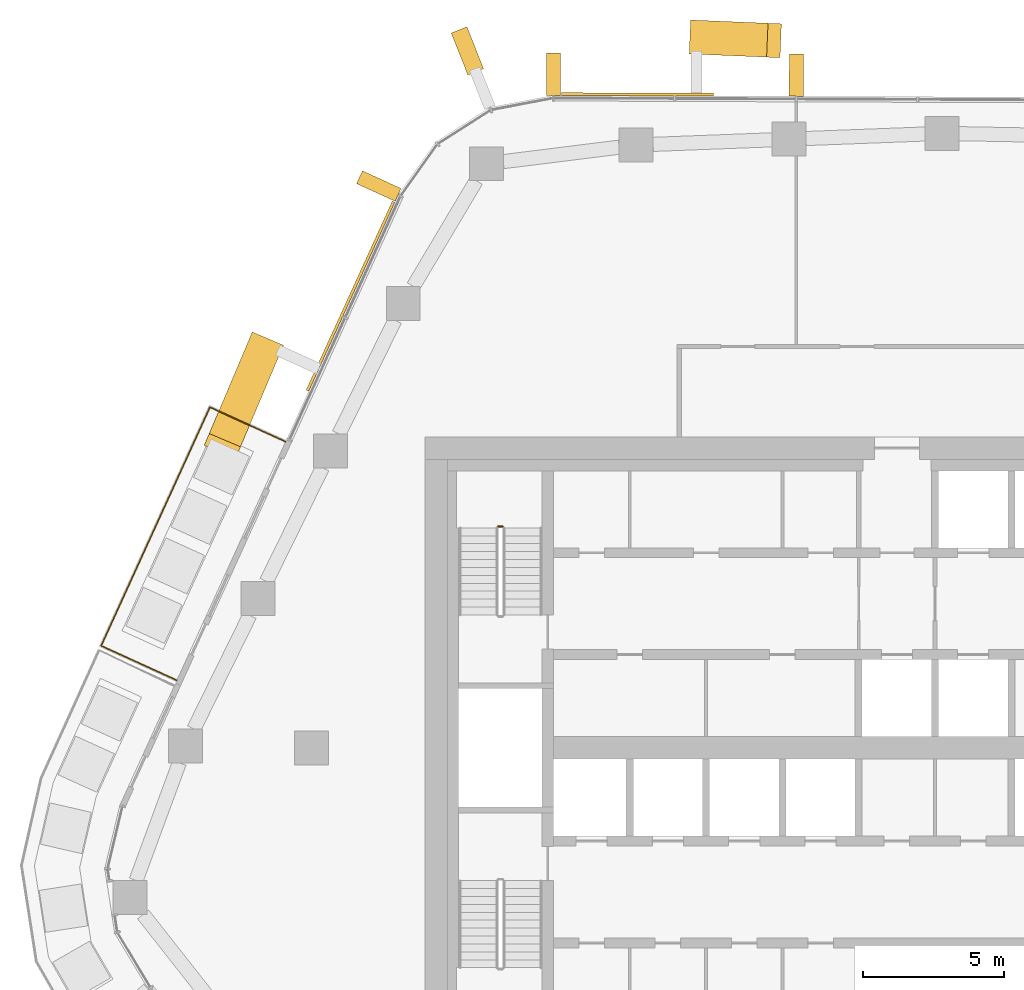
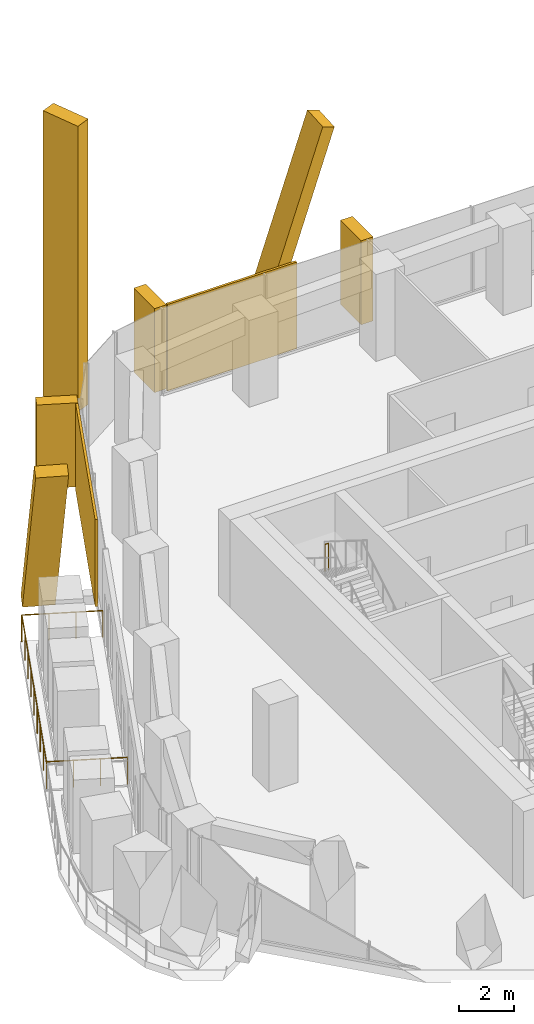
# One storey, part 18 of 19: 8 coverings, 2 railings, 3 elements without a shape of their own.
"""IFC4 building model written with IfcOpenShell, lengths in metres."""

import ifcopenshell
import ifcopenshell.guid

model = None  # the IFC model being written
_history = None  # IfcOwnerHistory: only IFC2X3 demands one
_inside = {}  # id of a spatial element -> (the spatial element, [elements in it])
_under = {}  # id of a project, library or spatial element -> (it, [spatial elements below it])
_declared = {}  # id of a project -> (the project, [libraries it declares])
_typed = {}  # id of a type object -> (the type object, [elements of that type])
_made_of = {}  # id of a material, layer set ... -> (it, [elements and type objects made of it])


def new_model(schema):
    """Start an empty IFC model of exactly this schema.

    Asked for "IFC4X3", IfcOpenShell would pick the latest addendum, in which some entities
    have other attributes; the version numbers below select the first issue.
    IFC2X3 requires an IfcOwnerHistory on every rooted entity: one is made here for all.
    """
    global model, _history
    if schema == "IFC4X3":
        model = ifcopenshell.file(schema_version=(4, 3, 0, 0))
    else:
        model = ifcopenshell.file(schema=schema)
    _inside.clear()
    _under.clear()
    _declared.clear()
    _typed.clear()
    _made_of.clear()
    _history = None
    if model.schema == "IFC2X3":
        org = make("IfcOrganization", Name="unknown")
        user = make(
            "IfcPersonAndOrganization",
            ThePerson=make("IfcPerson", FamilyName="unknown"),
            TheOrganization=org,
        )
        app = make(
            "IfcApplication",
            ApplicationDeveloper=org,
            Version="unknown",
            ApplicationFullName="unknown",
            ApplicationIdentifier="unknown",
        )
        _history = make(
            "IfcOwnerHistory",
            OwningUser=user,
            OwningApplication=app,
            ChangeAction="ADDED",
            CreationDate=0,
        )
    return model


def make(cls, **values):
    """One entity of the class cls with the attributes given. An attribute that is None is left unset."""
    return model.create_entity(
        cls, **{name: value for name, value in values.items() if value is not None}
    )


def rooted(cls, **values):
    """An entity with a GlobalId (a new one), such as an element, a storey or a relation."""
    return make(cls, GlobalId=ifcopenshell.guid.new(), OwnerHistory=_history, **values)


def si_unit(unit_type, name, prefix=None):
    """IfcSIUnit, for example si_unit("LENGTHUNIT", "METRE", prefix="MILLI")."""
    return make("IfcSIUnit", UnitType=unit_type, Prefix=prefix, Name=name)


def assignment(units):
    """IfcUnitAssignment: the units of a project."""
    return None if units is None else make("IfcUnitAssignment", Units=units)


def point(xyz):
    """IfcCartesianPoint."""
    return None if xyz is None else make("IfcCartesianPoint", Coordinates=xyz)


def direction(xyz):
    """IfcDirection."""
    return None if xyz is None else make("IfcDirection", DirectionRatios=xyz)


def frame(location, z_axis=None, x_axis=None):
    """IfcAxis2Placement3D, a coordinate frame: its origin and axes. An axis left out is left unset."""
    return make(
        "IfcAxis2Placement3D",
        Location=point(location),
        Axis=direction(z_axis),
        RefDirection=direction(x_axis),
    )


def frame_2d(location, x_axis=None):
    """IfcAxis2Placement2D, a coordinate frame in the plane: its origin and x axis."""
    return make(
        "IfcAxis2Placement2D", Location=point(location), RefDirection=direction(x_axis)
    )


def origin():
    """The frame at (0, 0, 0) with its axes left unset."""
    return frame((0.0, 0.0, 0.0))


def origin_2d():
    """The frame at (0, 0) in the plane with its x axis left unset."""
    return frame_2d((0.0, 0.0))


def place(relative_to, where):
    """IfcLocalPlacement: puts the frame where relative to a parent placement (None: the world)."""
    return make(
        "IfcLocalPlacement", PlacementRelTo=relative_to, RelativePlacement=where
    )


def context(
    kind, dimensions, precision=None, world=None, true_north=None, identifier=None
):
    """IfcGeometricRepresentationContext, for example the 3D "Model" context."""
    return make(
        "IfcGeometricRepresentationContext",
        ContextIdentifier=identifier,
        ContextType=kind,
        CoordinateSpaceDimension=dimensions,
        Precision=precision,
        WorldCoordinateSystem=world,
        TrueNorth=true_north,
    )


def subcontext(parent, identifier, kind, view, scale=None):
    """IfcGeometricRepresentationSubContext, for example "Body" below "Model"."""
    return make(
        "IfcGeometricRepresentationSubContext",
        ContextIdentifier=identifier,
        ContextType=kind,
        ParentContext=parent,
        TargetScale=scale,
        TargetView=view,
    )


def project(units=None, contexts=None):
    """IfcProject with its units and contexts."""
    return rooted(
        "IfcProject",
        Name="project",
        RepresentationContexts=contexts,
        UnitsInContext=assignment(units),
    )


def spatial(cls, under=None, at=None, **own):
    """A site, building, storey or space (cls), placed at a placement, below another one or the project."""
    s = rooted(cls, ObjectPlacement=at, **own)
    if under is not None:
        _under.setdefault(under.id(), (under, []))[1].append(s)
    return s


def profile(cls, at=None, kind="AREA", **sizes):
    """A parametric profile (cls). Its sizes go by their IFC names, for example OverallWidth=200.0."""
    return make(cls, ProfileType=kind, Position=at, **sizes)


def rectangle(**sizes):
    """IfcRectangleProfileDef."""
    return profile("IfcRectangleProfileDef", **sizes)


def circle(**sizes):
    """IfcCircleProfileDef."""
    return profile("IfcCircleProfileDef", **sizes)


def extrude(swept, where, along, depth):
    """IfcExtrudedAreaSolid: the profile swept, set in the frame where, extruded along a direction by depth."""
    return make(
        "IfcExtrudedAreaSolid",
        SweptArea=swept,
        Position=where,
        ExtrudedDirection=direction(along),
        Depth=depth,
    )


def shape(context_of_items, identifier, shape_type, items):
    """IfcShapeRepresentation: the items that make up one representation, for example the "Body"."""
    return make(
        "IfcShapeRepresentation",
        ContextOfItems=context_of_items,
        RepresentationIdentifier=identifier,
        RepresentationType=shape_type,
        Items=items,
    )


def material(Name=None, Category=None):
    """IfcMaterial."""
    return make("IfcMaterial", Name=Name, Category=Category)


def layer(
    of_material, thickness, ventilated=None, Name=None, Category=None, Priority=None
):
    """IfcMaterialLayer: one layer of a wall or slab, of a material (None: an air gap)."""
    return make(
        "IfcMaterialLayer",
        Material=of_material,
        LayerThickness=thickness,
        IsVentilated=ventilated,
        Name=Name,
        Category=Category,
        Priority=Priority,
    )


def layer_set(layers, Name=None):
    """IfcMaterialLayerSet."""
    return make("IfcMaterialLayerSet", MaterialLayers=layers, LayerSetName=Name)


def material_profile(
    of_material, cross_section, Name=None, Category=None, Priority=None
):
    """IfcMaterialProfile: a cross section and its material."""
    return make(
        "IfcMaterialProfile",
        Name=Name,
        Material=of_material,
        Profile=cross_section,
        Priority=Priority,
        Category=Category,
    )


def profile_set(profiles, Name=None, composite=None):
    """IfcMaterialProfileSet."""
    return make(
        "IfcMaterialProfileSet",
        Name=Name,
        MaterialProfiles=profiles,
        CompositeProfile=composite,
    )


def made_of(thing, what):
    """Note that an element or type object is made of a material, layer set ...; save() writes the relation."""
    if what is not None:
        _made_of.setdefault(what.id(), (what, []))[1].append(thing)
    return thing


def type_object(cls, material=None, **own):
    """A type object (cls), such as IfcWallType, which elements share."""
    return made_of(rooted(cls, **own), material)


def element(
    cls,
    number,
    at=None,
    inside=None,
    cuts=None,
    type_object=None,
    material=None,
    context=None,
    identifier="Body",
    shape_type=None,
    held_by="IfcProductDefinitionShape",
    body=None,
    shapes=None,
    **own,
):
    """One element of the class cls, such as IfcWall. Its Tag is "e" and its number.

    at: its placement. inside: the storey or other place that contains it. cuts: it is an
    opening in that element (IfcRelVoidsElement). A single representation is given by context,
    identifier, shape_type and body (its items); several are given by shapes. held_by: the class
    of the entity that holds the representations. save() writes the other relations.
    """
    e = rooted(cls, Tag="e%d" % number, ObjectPlacement=at, **own)
    if body is not None:
        shapes = [shape(context, identifier, shape_type, body)]
    if shapes is not None:
        e.Representation = make(held_by, Representations=shapes)
    if inside is not None:
        _inside.setdefault(inside.id(), (inside, []))[1].append(e)
    if cuts is not None:
        rooted(
            "IfcRelVoidsElement", RelatingBuildingElement=cuts, RelatedOpeningElement=e
        )
    if type_object is not None:
        _typed.setdefault(type_object.id(), (type_object, []))[1].append(e)
    return made_of(e, material)


def aggregate(whole, parts):
    """IfcRelAggregates: a whole, such as a stair, and the parts it consists of."""
    return rooted("IfcRelAggregates", RelatingObject=whole, RelatedObjects=parts)


def save(model, path):
    """Write the relations noted so far, then the file.

    IfcRelAggregates (storeys below a building ...), IfcRelContainedInSpatialStructure (elements
    in a storey), IfcRelDefinesByType, IfcRelAssociatesMaterial and IfcRelDeclares: one each for
    every whole, place, type object, material and project.
    """
    for whole, parts in _under.values():
        aggregate(whole, parts)
    for where, things in _inside.values():
        rooted(
            "IfcRelContainedInSpatialStructure",
            RelatedElements=things,
            RelatingStructure=where,
        )
    for kind, things in _typed.values():
        rooted("IfcRelDefinesByType", RelatedObjects=things, RelatingType=kind)
    for what, things in _made_of.values():
        rooted("IfcRelAssociatesMaterial", RelatedObjects=things, RelatingMaterial=what)
    for by, libraries in _declared.values():
        rooted("IfcRelDeclares", RelatingContext=by, RelatedDefinitions=libraries)
    model.write(path)


model = new_model("IFC4")

# Units and contexts
model_context = context("Model", 3, precision=1e-05, world=origin(), true_north=direction((0.0, 1.0)))
body_context = subcontext(model_context, "Body", "Model", "MODEL_VIEW")
ifc_project = project(units=[si_unit("LENGTHUNIT", "METRE"), si_unit("AREAUNIT", "SQUARE_METRE"), si_unit("VOLUMEUNIT", "CUBIC_METRE"), si_unit("PLANEANGLEUNIT", "RADIAN"), si_unit("MASSUNIT", "GRAM", prefix="KILO")], contexts=[model_context])

# Site, building, storey
site_placement = place(None, origin())
site = spatial("IfcSite", under=ifc_project, at=site_placement, CompositionType="ELEMENT")
building_placement = place(site_placement, origin())
building = spatial("IfcBuilding", under=site, at=building_placement, Name="Dongbaek Canopy Tower", CompositionType="ELEMENT")
storey_placement = place(building_placement, frame((0.0, 0.0, 198.800048828125)))
storey = spatial("IfcBuildingStorey", under=building, at=storey_placement, Name="L41", CompositionType="ELEMENT", Elevation=198.800048828125)

# Railing
ifc_material_1 = material(Name="Stainless steel", Category="steel")
railing_type_1 = type_object("IfcRailingType", Name="Balcony balustrade 1200", PredefinedType="BALUSTRADE", material=ifc_material_1)
railing_1_placement = place(storey_placement, frame((-18.92431640625, 10.82861328125, 0.0)))
element("IfcRailing", 1, at=railing_1_placement, inside=storey, type_object=railing_type_1, Name="Balcony guard L41 1", PredefinedType="BALUSTRADE", context=body_context, shape_type="SweptSolid", body=[
    extrude(circle(Radius=0.02392578125, at=origin_2d()), frame((0.0, 0.0, 1.17578125), z_axis=(-0.909910892542, 0.414803770033, 0.0), x_axis=(-0.414803770033, -0.909910892542, 0.0)), (0.0, 0.0, 1.0), 2.93994140625),
    extrude(circle(Radius=0.02392578125, at=origin_2d()), frame((-2.675048828125, 1.219482421875, 1.17578125), z_axis=(-0.414758607999, -0.909931479338, 0.0), x_axis=(0.909931479338, -0.414758607999, 0.0)), (0.0, 0.0, 1.0), 9.275146484375),
    extrude(circle(Radius=0.02392578125, at=origin_2d()), frame((-6.52197265625, -7.22021484375, 1.17578125), z_axis=(0.909910892542, -0.414803770033, 0.0), x_axis=(0.414803770033, 0.909910892542, 0.0)), (0.0, 0.0, 1.0), 2.93994140625),
    extrude(circle(Radius=0.02099609375, at=origin_2d()), origin(), (0.0, 0.0, 1.0), 1.15185546875),
    extrude(circle(Radius=0.02099609375, at=origin_2d()), frame((-0.8916015625, 0.406494140625, 0.0)), (0.0, 0.0, 1.0), 1.15185546875),
    extrude(circle(Radius=0.02099609375, at=origin_2d()), frame((-1.783447265625, 0.81298828125, 0.0)), (0.0, 0.0, 1.0), 1.15185546875),
    extrude(circle(Radius=0.02099609375, at=origin_2d()), frame((-2.675048828125, 1.219482421875, 0.0)), (0.0, 0.0, 1.0), 1.15185546875),
    extrude(circle(Radius=0.02099609375, at=origin_2d()), frame((-3.156005859375, 0.16455078125, 0.0)), (0.0, 0.0, 1.0), 1.15185546875),
    extrude(circle(Radius=0.02099609375, at=origin_2d()), frame((-3.63671875, -0.890380859375, 0.0)), (0.0, 0.0, 1.0), 1.15185546875),
    extrude(circle(Radius=0.02099609375, at=origin_2d()), frame((-4.11767578125, -1.9453125, 0.0)), (0.0, 0.0, 1.0), 1.15185546875),
    extrude(circle(Radius=0.02099609375, at=origin_2d()), frame((-4.5986328125, -3.00048828125, 0.0)), (0.0, 0.0, 1.0), 1.15185546875),
    extrude(circle(Radius=0.02099609375, at=origin_2d()), frame((-5.079345703125, -4.055419921875, 0.0)), (0.0, 0.0, 1.0), 1.15185546875),
    extrude(circle(Radius=0.02099609375, at=origin_2d()), frame((-5.560302734375, -5.1103515625, 0.0)), (0.0, 0.0, 1.0), 1.15185546875),
    extrude(circle(Radius=0.02099609375, at=origin_2d()), frame((-6.041015625, -6.165283203125, 0.0)), (0.0, 0.0, 1.0), 1.15185546875),
    extrude(circle(Radius=0.02099609375, at=origin_2d()), frame((-6.52197265625, -7.22021484375, 0.0)), (0.0, 0.0, 1.0), 1.15185546875),
    extrude(circle(Radius=0.02099609375, at=origin_2d()), frame((-5.63037109375, -7.626708984375, 0.0)), (0.0, 0.0, 1.0), 1.15185546875),
    extrude(circle(Radius=0.02099609375, at=origin_2d()), frame((-4.738525390625, -8.033203125, 0.0)), (0.0, 0.0, 1.0), 1.15185546875),
    extrude(circle(Radius=0.02099609375, at=origin_2d()), frame((-3.846923828125, -8.439697265625, 0.0)), (0.0, 0.0, 1.0), 1.15185546875),
])

# Curtain wall, covering
ifc_material_2 = material(Name="Aluminium 6063-T6 pale anodised", Category="aluminium")
ifc_layer_1 = layer(ifc_material_2, 0.199951171875)
ifc_layer_set_1 = layer_set([ifc_layer_1], Name="CW-1 unitised tower curtain wall")
curtain_wall_type = type_object("IfcCurtainWallType", Name="CW-1 unitised tower curtain wall", PredefinedType="NOTDEFINED", material=ifc_layer_set_1)
curtain_wall_1_placement = place(storey_placement, origin())
curtain_wall_1 = element("IfcCurtainWall", 2, at=curtain_wall_1_placement, inside=storey, type_object=curtain_wall_type, Name="CW-1 curtain wall K2.1", PredefinedType="NOTDEFINED")
ifc_material_3 = material(Name="Aluminium 6063-T6 pale metal fin", Category="aluminium")
ifc_material_profile_1 = material_profile(ifc_material_3, rectangle(XDim=1.60009765625, YDim=0.60009765625, at=origin_2d()), Name="Corner fin CN1 600 x 1600 pale metal")
ifc_profile_set_1 = profile_set([ifc_material_profile_1], Name="Aluminium 6063-T6 pale metal fin")
covering_type_1 = type_object("IfcCoveringType", Name="Corner fin CN1 600 x 1600 pale metal", PredefinedType="CLADDING", material=ifc_profile_set_1)
covering_1_placement = place(storey_placement, frame((-12.493408203125, 24.653076171875, -0.18994140625), z_axis=(0.0, 0.0, 1.0), x_axis=(-0.369610535351, 0.929186769254, 0.0)))
covering_1 = element("IfcCovering", 3, at=covering_1_placement, type_object=covering_type_1, Name="Corner fin L41 L43 K2", PredefinedType="CLADDING", context=body_context, shape_type="SweptSolid", body=[
    extrude(rectangle(XDim=1.60009765625, YDim=0.60009765625, at=origin_2d()), origin(), (0.0, 0.0, 1.0), 12.579833984375),
])
aggregate(curtain_wall_1, [covering_1])

curtain_wall_2_placement = place(storey_placement, origin())
curtain_wall_2 = element("IfcCurtainWall", 4, at=curtain_wall_2_placement, inside=storey, type_object=curtain_wall_type, Name="CW-1 curtain wall F1.1", PredefinedType="NOTDEFINED")
ifc_material_4 = material(Name="Aluminium 6063-T6 pale metal fin", Category="aluminium")
ifc_material_profile_2 = material_profile(ifc_material_4, rectangle(XDim=1.199951171875, YDim=0.5, at=origin_2d()), Name="Crease fin CF1 500 x 1200 pale metal")
ifc_profile_set_2 = profile_set([ifc_material_profile_2], Name="Aluminium 6063-T6 pale metal fin")
covering_type_2 = type_object("IfcCoveringType", Name="Crease fin CF1 500 x 1200 pale metal", PredefinedType="CLADDING", material=ifc_profile_set_2)
covering_2_placement = place(storey_placement, frame((-4.38330078125, 25.13623046875, -0.18994140625), z_axis=(0.309860774003, -0.013014484087, 0.950692865198), x_axis=(0.041964072203, 0.999119120348, 0.0)))
covering_2 = element("IfcCovering", 5, at=covering_2_placement, type_object=covering_type_2, Name="Crease fin L41 L43 F1", PredefinedType="CLADDING", context=body_context, shape_type="SweptSolid", body=[
    extrude(rectangle(XDim=1.199951171875, YDim=0.5, at=origin_2d()), origin(), (0.0, 0.0, 1.0), 8.83544921875),
])

curtain_wall_3_placement = place(storey_placement, origin())
curtain_wall_3 = element("IfcCurtainWall", 6, at=curtain_wall_3_placement, inside=storey, type_object=curtain_wall_type, Name="CW-1 curtain wall F2.1", PredefinedType="NOTDEFINED")
covering_3_placement = place(storey_placement, frame((-19.638916015625, 14.264892578125, -0.18994140625), z_axis=(-0.164233671401, -0.38778126907, 0.90700219875), x_axis=(0.920820311442, -0.389987120346, 0.0)))
covering_3 = element("IfcCovering", 7, at=covering_3_placement, type_object=covering_type_2, Name="Crease fin L41 L43 F2", PredefinedType="CLADDING", context=body_context, shape_type="SweptSolid", body=[
    extrude(rectangle(XDim=1.199951171875, YDim=0.5, at=origin_2d()), origin(), (0.0, 0.0, 1.0), 9.26123046875),
])

# Covering
ifc_material_5 = material(Name="Perforated aluminium 6063-T6 pale metal screen", Category="aluminium")
ifc_layer_2 = layer(ifc_material_5, 0.10009765625)
ifc_layer_set_2 = layer_set([ifc_layer_2], Name="Facet screen FS1 100 pale metal")
covering_type_3 = type_object("IfcCoveringType", Name="Facet screen FS1 100 pale metal", PredefinedType="CLADDING", material=ifc_layer_set_2)
covering_4_placement = place(storey_placement, frame((-6.468994140625, 23.114990234375, 0.0), z_axis=(0.0, 0.0, 1.0), x_axis=(-0.999993244757, 0.003675655128, 0.0)))
covering_4 = element("IfcCovering", 8, at=covering_4_placement, type_object=covering_type_3, Name="Facet screen L41 F1", PredefinedType="CLADDING", context=body_context, shape_type="SweptSolid", body=[
    extrude(rectangle(XDim=5.380126953125, YDim=0.10009765625, at=origin_2d()), origin(), (0.0, 0.0, 1.0), 3.820068359375),
])

covering_5_placement = place(storey_placement, frame((-16.62939453125, 15.97412109375, 0.0), z_axis=(0.0, 0.0, 1.0), x_axis=(-0.414755180794, -0.909933041495, 0.0)))
covering_5 = element("IfcCovering", 9, at=covering_5_placement, type_object=covering_type_3, Name="Facet screen L41 F2", PredefinedType="CLADDING", context=body_context, shape_type="SweptSolid", body=[
    extrude(rectangle(XDim=7.343505859375, YDim=0.10009765625, at=origin_2d()), origin(), (0.0, 0.0, 1.0), 3.820068359375),
])

ifc_material_6 = material(Name="Aluminium 6063-T6 pale metal fin", Category="aluminium")
ifc_material_profile_3 = material_profile(ifc_material_6, rectangle(XDim=1.5, YDim=0.5, at=origin_2d()), Name="Fin FN1 500 x 1500 pale metal")
ifc_profile_set_3 = profile_set([ifc_material_profile_3], Name="Aluminium 6063-T6 pale metal fin")
covering_type_4 = type_object("IfcCoveringType", Name="Fin FN1 500 x 1500 pale metal", PredefinedType="CLADDING", material=ifc_profile_set_3)
covering_6_placement = place(storey_placement, frame((-0.857666015625, 23.79833984375, 0.119873046875), z_axis=(0.0, 0.0, 1.0), x_axis=(0.003675442583, 0.999993245538, 0.0)))
covering_6 = element("IfcCovering", 10, at=covering_6_placement, type_object=covering_type_4, Name="Fin F1.1.3", PredefinedType="CLADDING", context=body_context, shape_type="SweptSolid", body=[
    extrude(rectangle(XDim=1.5, YDim=0.5, at=origin_2d()), origin(), (0.0, 0.0, 1.0), 3.7001953125),
])

covering_7_placement = place(storey_placement, frame((-9.446533203125, 23.830078125, 0.119873046875), z_axis=(0.0, 0.0, 1.0), x_axis=(0.003675442583, 0.999993245538, 0.0)))
covering_7 = element("IfcCovering", 11, at=covering_7_placement, type_object=covering_type_4, Name="Fin F1.1.5", PredefinedType="CLADDING", context=body_context, shape_type="SweptSolid", body=[
    extrude(rectangle(XDim=1.5, YDim=0.5, at=origin_2d()), origin(), (0.0, 0.0, 1.0), 3.7001953125),
])

aggregate(curtain_wall_2, [covering_6, covering_7, covering_2, covering_4])

covering_8_placement = place(storey_placement, frame((-15.626953125, 19.87109375, 0.119873046875), z_axis=(0.0, 0.0, 1.0), x_axis=(-0.909932941374, 0.414755400449, 0.0)))
covering_8 = element("IfcCovering", 12, at=covering_8_placement, type_object=covering_type_4, Name="Fin F2.1.1", PredefinedType="CLADDING", context=body_context, shape_type="SweptSolid", body=[
    extrude(rectangle(XDim=1.5, YDim=0.5, at=origin_2d()), origin(), (0.0, 0.0, 1.0), 3.7001953125),
])

aggregate(curtain_wall_3, [covering_8, covering_3, covering_5])

# Railing
ifc_material_7 = material(Name="Stainless steel tube and balusters", Category="steel")
railing_type_2 = type_object("IfcRailingType", Name="Stair guard 1200", PredefinedType="GUARDRAIL", material=ifc_material_7)
railing_2_placement = place(storey_placement, frame((-11.25, 7.830078125, 2.099853515625)))
element("IfcRailing", 13, at=railing_2_placement, inside=storey, type_object=railing_type_2, Name="L41 ST-C stair guard 2", PredefinedType="GUARDRAIL", context=body_context, shape_type="SweptSolid", body=[
    extrude(circle(Radius=0.02392578125, at=origin_2d()), frame((0.0, 0.0, 1.17578125), z_axis=(-1.0, 0.0, 0.0), x_axis=(0.0, -1.0, 0.0)), (0.0, 0.0, 1.0), 0.14990234375),
    extrude(circle(Radius=0.02099609375, at=origin_2d()), origin(), (0.0, 0.0, 1.0), 1.15185546875),
    extrude(circle(Radius=0.02099609375, at=origin_2d()), frame((-0.14990234375, 0.0, 0.0)), (0.0, 0.0, 1.0), 1.15185546875),
])

save(model, "model.ifc")
